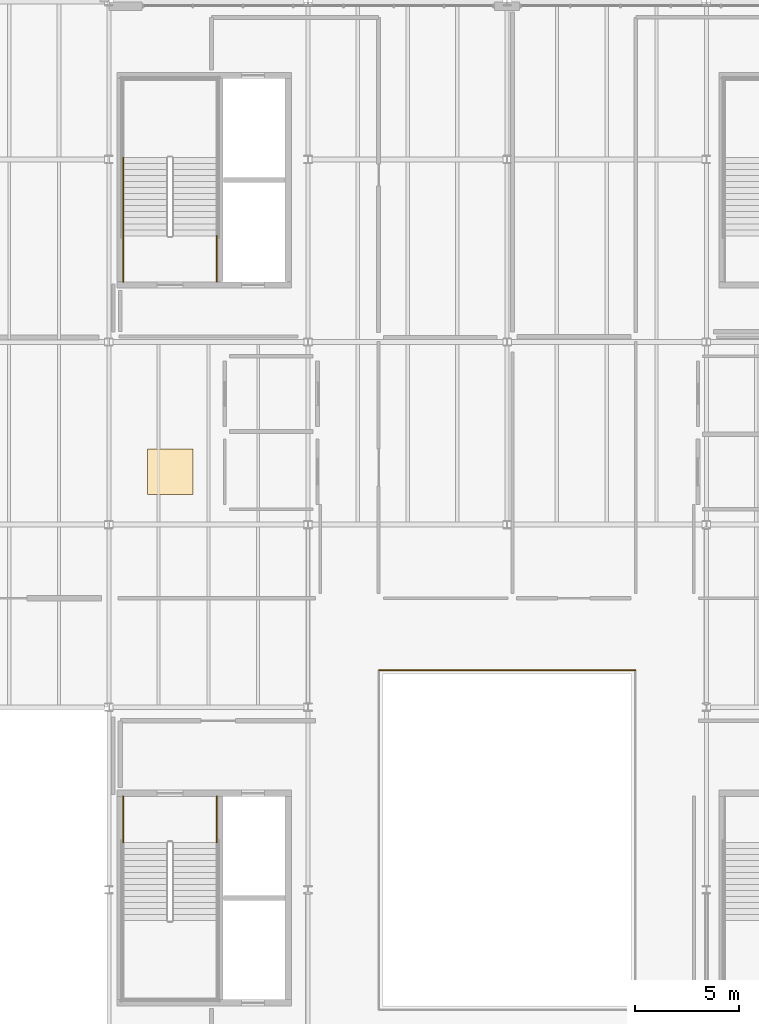
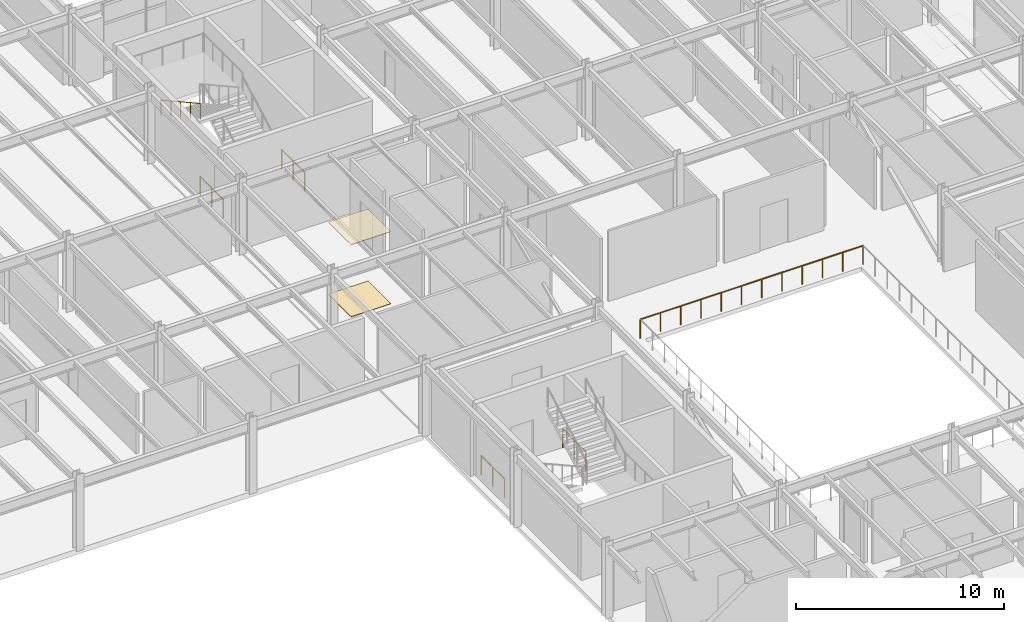
# One storey, part 72 of 77: 6 railings, 2 coverings.
"""IFC4 building model written with IfcOpenShell, lengths in metres."""

import ifcopenshell
import ifcopenshell.guid

model = None  # the IFC model being written
_history = None  # IfcOwnerHistory: only IFC2X3 demands one
_inside = {}  # id of a spatial element -> (the spatial element, [elements in it])
_under = {}  # id of a project, library or spatial element -> (it, [spatial elements below it])
_declared = {}  # id of a project -> (the project, [libraries it declares])
_typed = {}  # id of a type object -> (the type object, [elements of that type])
_made_of = {}  # id of a material, layer set ... -> (it, [elements and type objects made of it])


def new_model(schema):
    """Start an empty IFC model of exactly this schema.

    Asked for "IFC4X3", IfcOpenShell would pick the latest addendum, in which some entities
    have other attributes; the version numbers below select the first issue.
    IFC2X3 requires an IfcOwnerHistory on every rooted entity: one is made here for all.
    """
    global model, _history
    if schema == "IFC4X3":
        model = ifcopenshell.file(schema_version=(4, 3, 0, 0))
    else:
        model = ifcopenshell.file(schema=schema)
    _inside.clear()
    _under.clear()
    _declared.clear()
    _typed.clear()
    _made_of.clear()
    _history = None
    if model.schema == "IFC2X3":
        org = make("IfcOrganization", Name="unknown")
        user = make(
            "IfcPersonAndOrganization",
            ThePerson=make("IfcPerson", FamilyName="unknown"),
            TheOrganization=org,
        )
        app = make(
            "IfcApplication",
            ApplicationDeveloper=org,
            Version="unknown",
            ApplicationFullName="unknown",
            ApplicationIdentifier="unknown",
        )
        _history = make(
            "IfcOwnerHistory",
            OwningUser=user,
            OwningApplication=app,
            ChangeAction="ADDED",
            CreationDate=0,
        )
    return model


def make(cls, **values):
    """One entity of the class cls with the attributes given. An attribute that is None is left unset."""
    return model.create_entity(
        cls, **{name: value for name, value in values.items() if value is not None}
    )


def rooted(cls, **values):
    """An entity with a GlobalId (a new one), such as an element, a storey or a relation."""
    return make(cls, GlobalId=ifcopenshell.guid.new(), OwnerHistory=_history, **values)


def si_unit(unit_type, name, prefix=None):
    """IfcSIUnit, for example si_unit("LENGTHUNIT", "METRE", prefix="MILLI")."""
    return make("IfcSIUnit", UnitType=unit_type, Prefix=prefix, Name=name)


def assignment(units):
    """IfcUnitAssignment: the units of a project."""
    return None if units is None else make("IfcUnitAssignment", Units=units)


def point(xyz):
    """IfcCartesianPoint."""
    return None if xyz is None else make("IfcCartesianPoint", Coordinates=xyz)


def direction(xyz):
    """IfcDirection."""
    return None if xyz is None else make("IfcDirection", DirectionRatios=xyz)


def frame(location, z_axis=None, x_axis=None):
    """IfcAxis2Placement3D, a coordinate frame: its origin and axes. An axis left out is left unset."""
    return make(
        "IfcAxis2Placement3D",
        Location=point(location),
        Axis=direction(z_axis),
        RefDirection=direction(x_axis),
    )


def frame_2d(location, x_axis=None):
    """IfcAxis2Placement2D, a coordinate frame in the plane: its origin and x axis."""
    return make(
        "IfcAxis2Placement2D", Location=point(location), RefDirection=direction(x_axis)
    )


def origin():
    """The frame at (0, 0, 0) with its axes left unset."""
    return frame((0.0, 0.0, 0.0))


def origin_2d():
    """The frame at (0, 0) in the plane with its x axis left unset."""
    return frame_2d((0.0, 0.0))


def place(relative_to, where):
    """IfcLocalPlacement: puts the frame where relative to a parent placement (None: the world)."""
    return make(
        "IfcLocalPlacement", PlacementRelTo=relative_to, RelativePlacement=where
    )


def context(
    kind, dimensions, precision=None, world=None, true_north=None, identifier=None
):
    """IfcGeometricRepresentationContext, for example the 3D "Model" context."""
    return make(
        "IfcGeometricRepresentationContext",
        ContextIdentifier=identifier,
        ContextType=kind,
        CoordinateSpaceDimension=dimensions,
        Precision=precision,
        WorldCoordinateSystem=world,
        TrueNorth=true_north,
    )


def subcontext(parent, identifier, kind, view, scale=None):
    """IfcGeometricRepresentationSubContext, for example "Body" below "Model"."""
    return make(
        "IfcGeometricRepresentationSubContext",
        ContextIdentifier=identifier,
        ContextType=kind,
        ParentContext=parent,
        TargetScale=scale,
        TargetView=view,
    )


def project(units=None, contexts=None):
    """IfcProject with its units and contexts."""
    return rooted(
        "IfcProject",
        Name="project",
        RepresentationContexts=contexts,
        UnitsInContext=assignment(units),
    )


def spatial(cls, under=None, at=None, **own):
    """A site, building, storey or space (cls), placed at a placement, below another one or the project."""
    s = rooted(cls, ObjectPlacement=at, **own)
    if under is not None:
        _under.setdefault(under.id(), (under, []))[1].append(s)
    return s


def profile(cls, at=None, kind="AREA", **sizes):
    """A parametric profile (cls). Its sizes go by their IFC names, for example OverallWidth=200.0."""
    return make(cls, ProfileType=kind, Position=at, **sizes)


def rectangle(**sizes):
    """IfcRectangleProfileDef."""
    return profile("IfcRectangleProfileDef", **sizes)


def circle(**sizes):
    """IfcCircleProfileDef."""
    return profile("IfcCircleProfileDef", **sizes)


def extrude(swept, where, along, depth):
    """IfcExtrudedAreaSolid: the profile swept, set in the frame where, extruded along a direction by depth."""
    return make(
        "IfcExtrudedAreaSolid",
        SweptArea=swept,
        Position=where,
        ExtrudedDirection=direction(along),
        Depth=depth,
    )


def shape(context_of_items, identifier, shape_type, items):
    """IfcShapeRepresentation: the items that make up one representation, for example the "Body"."""
    return make(
        "IfcShapeRepresentation",
        ContextOfItems=context_of_items,
        RepresentationIdentifier=identifier,
        RepresentationType=shape_type,
        Items=items,
    )


def material(Name=None, Category=None):
    """IfcMaterial."""
    return make("IfcMaterial", Name=Name, Category=Category)


def layer(
    of_material, thickness, ventilated=None, Name=None, Category=None, Priority=None
):
    """IfcMaterialLayer: one layer of a wall or slab, of a material (None: an air gap)."""
    return make(
        "IfcMaterialLayer",
        Material=of_material,
        LayerThickness=thickness,
        IsVentilated=ventilated,
        Name=Name,
        Category=Category,
        Priority=Priority,
    )


def layer_set(layers, Name=None):
    """IfcMaterialLayerSet."""
    return make("IfcMaterialLayerSet", MaterialLayers=layers, LayerSetName=Name)


def made_of(thing, what):
    """Note that an element or type object is made of a material, layer set ...; save() writes the relation."""
    if what is not None:
        _made_of.setdefault(what.id(), (what, []))[1].append(thing)
    return thing


def type_object(cls, material=None, **own):
    """A type object (cls), such as IfcWallType, which elements share."""
    return made_of(rooted(cls, **own), material)


def element(
    cls,
    number,
    at=None,
    inside=None,
    cuts=None,
    type_object=None,
    material=None,
    context=None,
    identifier="Body",
    shape_type=None,
    held_by="IfcProductDefinitionShape",
    body=None,
    shapes=None,
    **own,
):
    """One element of the class cls, such as IfcWall. Its Tag is "e" and its number.

    at: its placement. inside: the storey or other place that contains it. cuts: it is an
    opening in that element (IfcRelVoidsElement). A single representation is given by context,
    identifier, shape_type and body (its items); several are given by shapes. held_by: the class
    of the entity that holds the representations. save() writes the other relations.
    """
    e = rooted(cls, Tag="e%d" % number, ObjectPlacement=at, **own)
    if body is not None:
        shapes = [shape(context, identifier, shape_type, body)]
    if shapes is not None:
        e.Representation = make(held_by, Representations=shapes)
    if inside is not None:
        _inside.setdefault(inside.id(), (inside, []))[1].append(e)
    if cuts is not None:
        rooted(
            "IfcRelVoidsElement", RelatingBuildingElement=cuts, RelatedOpeningElement=e
        )
    if type_object is not None:
        _typed.setdefault(type_object.id(), (type_object, []))[1].append(e)
    return made_of(e, material)


def aggregate(whole, parts):
    """IfcRelAggregates: a whole, such as a stair, and the parts it consists of."""
    return rooted("IfcRelAggregates", RelatingObject=whole, RelatedObjects=parts)


def save(model, path):
    """Write the relations noted so far, then the file.

    IfcRelAggregates (storeys below a building ...), IfcRelContainedInSpatialStructure (elements
    in a storey), IfcRelDefinesByType, IfcRelAssociatesMaterial and IfcRelDeclares: one each for
    every whole, place, type object, material and project.
    """
    for whole, parts in _under.values():
        aggregate(whole, parts)
    for where, things in _inside.values():
        rooted(
            "IfcRelContainedInSpatialStructure",
            RelatedElements=things,
            RelatingStructure=where,
        )
    for kind, things in _typed.values():
        rooted("IfcRelDefinesByType", RelatedObjects=things, RelatingType=kind)
    for what, things in _made_of.values():
        rooted("IfcRelAssociatesMaterial", RelatedObjects=things, RelatingMaterial=what)
    for by, libraries in _declared.values():
        rooted("IfcRelDeclares", RelatingContext=by, RelatedDefinitions=libraries)
    model.write(path)


model = new_model("IFC4")

# Units and contexts
model_context = context("Model", 3, precision=1e-05, world=origin(), true_north=direction((0.0, 1.0)))
body_context = subcontext(model_context, "Body", "Model", "MODEL_VIEW")
ifc_project = project(units=[si_unit("LENGTHUNIT", "METRE"), si_unit("AREAUNIT", "SQUARE_METRE"), si_unit("VOLUMEUNIT", "CUBIC_METRE"), si_unit("PLANEANGLEUNIT", "RADIAN"), si_unit("MASSUNIT", "GRAM", prefix="KILO")], contexts=[model_context])

# Site, building, storey
site_placement = place(None, origin())
site = spatial("IfcSite", under=ifc_project, at=site_placement, CompositionType="ELEMENT")
building_placement = place(site_placement, origin())
building = spatial("IfcBuilding", under=site, at=building_placement, Name="Sarnbrook Museum", CompositionType="ELEMENT")
storey_placement = place(building_placement, frame((0.0, 0.0, 5.60009765625)))
storey = spatial("IfcBuildingStorey", under=building, at=storey_placement, Name="L01", CompositionType="ELEMENT", Elevation=5.60009765625)

# Coverings
ifc_material_1 = material(Name="Tasmanian Oak Acoustic Timber", Category="wood")
ifc_layer_1 = layer(ifc_material_1, 0.02490234375)
ifc_layer_set_1 = layer_set([ifc_layer_1], Name="Tasmanian Oak Acoustic Timber")
covering_type_1 = type_object("IfcCoveringType", Name="Ceil_Timber25", PredefinedType="CEILING", material=ifc_layer_set_1)
covering_1_placement = place(storey_placement, frame((83.764892578125, 85.75, 4.224853515625), z_axis=(0.0, 0.0, 1.0), x_axis=(1.0, 0.0, 0.0)))
element("IfcCovering", 1, at=covering_1_placement, inside=storey, type_object=covering_type_1, Name="Acoustic Ceiling Baffle Panel L01-19", PredefinedType="CEILING", context=body_context, shape_type="SweptSolid", body=[
    extrude(rectangle(XDim=2.199951171875, YDim=2.199951171875, at=origin_2d()), origin(), (0.0, 0.0, 1.0), 0.02490234375),
])
ifc_layer_2 = layer(ifc_material_1, 0.02197265625)
ifc_layer_set_2 = layer_set([ifc_layer_2], Name="Tasmanian Oak Acoustic Timber")
covering_type_2 = type_object("IfcCoveringType", Name="Floor_Oak22", PredefinedType="FLOORING", material=ifc_layer_set_2)
covering_2_placement = place(storey_placement, frame((83.764892578125, 85.75, 0.0), z_axis=(0.0, 0.0, 1.0), x_axis=(1.0, 0.0, 0.0)))
element("IfcCovering", 2, at=covering_2_placement, inside=storey, type_object=covering_type_2, Name="Gallery Floor Finish Panel L01-19", PredefinedType="FLOORING", context=body_context, shape_type="SweptSolid", body=[
    extrude(rectangle(XDim=2.199951171875, YDim=2.199951171875, at=origin_2d()), origin(), (0.0, 0.0, 1.0), 0.02197265625),
])

# Railings
ifc_material_2 = material(Name="Brushed Stainless Steel Grade 316", Category="steel")
ifc_layer_3 = layer(ifc_material_2, 0.050048828125)
ifc_layer_set_3 = layer_set([ifc_layer_3], Name="Brushed Stainless Steel Grade 316")
railing_type_1 = type_object("IfcRailingType", Name="Guard_Int1120", PredefinedType="BALUSTRADE", material=ifc_layer_set_3)
for number, where, name in (
    (3, (81.489990234375, 70.10009765625, 0.0), "L01 ST3 stair guard 8"),
    (4, (86.010009765625, 70.10009765625, 0.0), "L01 ST3 stair guard 9"),
):
    element("IfcRailing", number, at=place(storey_placement, frame(where)), inside=storey, type_object=railing_type_1, Name=name, PredefinedType="BALUSTRADE", context=body_context, shape_type="SweptSolid", body=[
        extrude(circle(Radius=0.02392578125, at=origin_2d()), frame((0.0, 0.0, 1.09619140625), z_axis=(0.0, -1.0, 0.0), x_axis=(1.0, 0.0, 0.0)), (0.0, 0.0, 1.0), 2.22021484375),
        extrude(circle(Radius=0.02099609375, at=origin_2d()), origin(), (0.0, 0.0, 1.0), 1.072021484375),
        extrude(circle(Radius=0.02099609375, at=origin_2d()), frame((0.0, -1.110107421875, 0.0)), (0.0, 0.0, 1.0), 1.072021484375),
        extrude(circle(Radius=0.02099609375, at=origin_2d()), frame((0.0, -2.22021484375, 0.0)), (0.0, 0.0, 1.0), 1.072021484375),
    ])
for number, where, name in (
    (5, (86.010009765625, 94.89990234375, 0.0), "L01 ST4 stair guard 8"),
    (6, (81.489990234375, 94.89990234375, 0.0), "L01 ST4 stair guard 9"),
):
    element("IfcRailing", number, at=place(storey_placement, frame(where)), inside=storey, type_object=railing_type_1, Name=name, PredefinedType="BALUSTRADE", context=body_context, shape_type="SweptSolid", body=[
        extrude(circle(Radius=0.02392578125, at=origin_2d()), frame((0.0, 0.0, 1.09619140625), z_axis=(0.0, 1.0, 0.0), x_axis=(-1.0, 0.0, 0.0)), (0.0, 0.0, 1.0), 2.22021484375),
        extrude(circle(Radius=0.02099609375, at=origin_2d()), origin(), (0.0, 0.0, 1.0), 1.072021484375),
        extrude(circle(Radius=0.02099609375, at=origin_2d()), frame((0.0, 1.110107421875, 0.0)), (0.0, 0.0, 1.0), 1.072021484375),
        extrude(circle(Radius=0.02099609375, at=origin_2d()), frame((0.0, 2.22021484375, 0.0)), (0.0, 0.0, 1.0), 1.072021484375),
    ])
railing_1_placement = place(storey_placement, frame((106.179931640625, 76.179931640625, 0.0)))
element("IfcRailing", 7, at=railing_1_placement, inside=storey, type_object=railing_type_1, Name="Atrium Gallery Balustrade L01-3", PredefinedType="BALUSTRADE", context=body_context, shape_type="SweptSolid", body=[
    extrude(circle(Radius=0.02392578125, at=origin_2d()), frame((0.0, 0.0, 1.09619140625), z_axis=(-1.0, 0.0, 0.0), x_axis=(0.0, -1.0, 0.0)), (0.0, 0.0, 1.0), 12.35986328125),
    extrude(circle(Radius=0.02099609375, at=origin_2d()), origin(), (0.0, 0.0, 1.0), 1.072021484375),
    extrude(circle(Radius=0.02099609375, at=origin_2d()), frame((-1.12353515625, 0.0, 0.0)), (0.0, 0.0, 1.0), 1.072021484375),
    extrude(circle(Radius=0.02099609375, at=origin_2d()), frame((-2.247314453125, 0.0, 0.0)), (0.0, 0.0, 1.0), 1.072021484375),
    extrude(circle(Radius=0.02099609375, at=origin_2d()), frame((-3.370849609375, 0.0, 0.0)), (0.0, 0.0, 1.0), 1.072021484375),
    extrude(circle(Radius=0.02099609375, at=origin_2d()), frame((-4.494384765625, 0.0, 0.0)), (0.0, 0.0, 1.0), 1.072021484375),
    extrude(circle(Radius=0.02099609375, at=origin_2d()), frame((-5.6181640625, 0.0, 0.0)), (0.0, 0.0, 1.0), 1.072021484375),
    extrude(circle(Radius=0.02099609375, at=origin_2d()), frame((-6.74169921875, 0.0, 0.0)), (0.0, 0.0, 1.0), 1.072021484375),
    extrude(circle(Radius=0.02099609375, at=origin_2d()), frame((-7.865478515625, 0.0, 0.0)), (0.0, 0.0, 1.0), 1.072021484375),
    extrude(circle(Radius=0.02099609375, at=origin_2d()), frame((-8.989013671875, 0.0, 0.0)), (0.0, 0.0, 1.0), 1.072021484375),
    extrude(circle(Radius=0.02099609375, at=origin_2d()), frame((-10.112548828125, 0.0, 0.0)), (0.0, 0.0, 1.0), 1.072021484375),
    extrude(circle(Radius=0.02099609375, at=origin_2d()), frame((-11.236328125, 0.0, 0.0)), (0.0, 0.0, 1.0), 1.072021484375),
    extrude(circle(Radius=0.02099609375, at=origin_2d()), frame((-12.35986328125, 0.0, 0.0)), (0.0, 0.0, 1.0), 1.072021484375),
])
ifc_layer_4 = layer(ifc_material_2, 0.048095703125)
ifc_layer_set_4 = layer_set([ifc_layer_4], Name="Brushed Stainless Steel Grade 316")
railing_type_2 = type_object("IfcRailingType", Name="Handrail_920", PredefinedType="HANDRAIL", material=ifc_layer_set_4)
railing_2_placement = place(storey_placement, frame((81.489990234375, 100.889892578125, 2.41064453125)))
element("IfcRailing", 8, at=railing_2_placement, inside=storey, type_object=railing_type_2, Name="L01 ST4 stair handrail 2", PredefinedType="HANDRAIL", context=body_context, shape_type="SweptSolid", body=[
    extrude(circle(Radius=0.02392578125, at=origin_2d()), frame((0.0, 0.0, 0.8857421875), z_axis=(0.0, -0.874645791573, 0.484762559697), x_axis=(1.0, 0.0, 0.0)), (0.0, 0.0, 1.0), 4.31005859375),
    extrude(circle(Radius=0.02099609375, at=origin_2d()), origin(), (0.0, 0.0, 1.0), 0.86181640625),
    extrude(circle(Radius=0.02099609375, at=origin_2d()), frame((0.0, -0.9423828125, 0.5224609375)), (0.0, 0.0, 1.0), 0.86181640625),
    extrude(circle(Radius=0.02099609375, at=origin_2d()), frame((0.0, -1.884765625, 1.044677734375)), (0.0, 0.0, 1.0), 0.86181640625),
    extrude(circle(Radius=0.02099609375, at=origin_2d()), frame((0.0, -2.827392578125, 1.56689453125)), (0.0, 0.0, 1.0), 0.86181640625),
    extrude(circle(Radius=0.02099609375, at=origin_2d()), frame((0.0, -3.769775390625, 2.08935546875)), (0.0, 0.0, 1.0), 0.86181640625),
])

save(model, "model.ifc")
